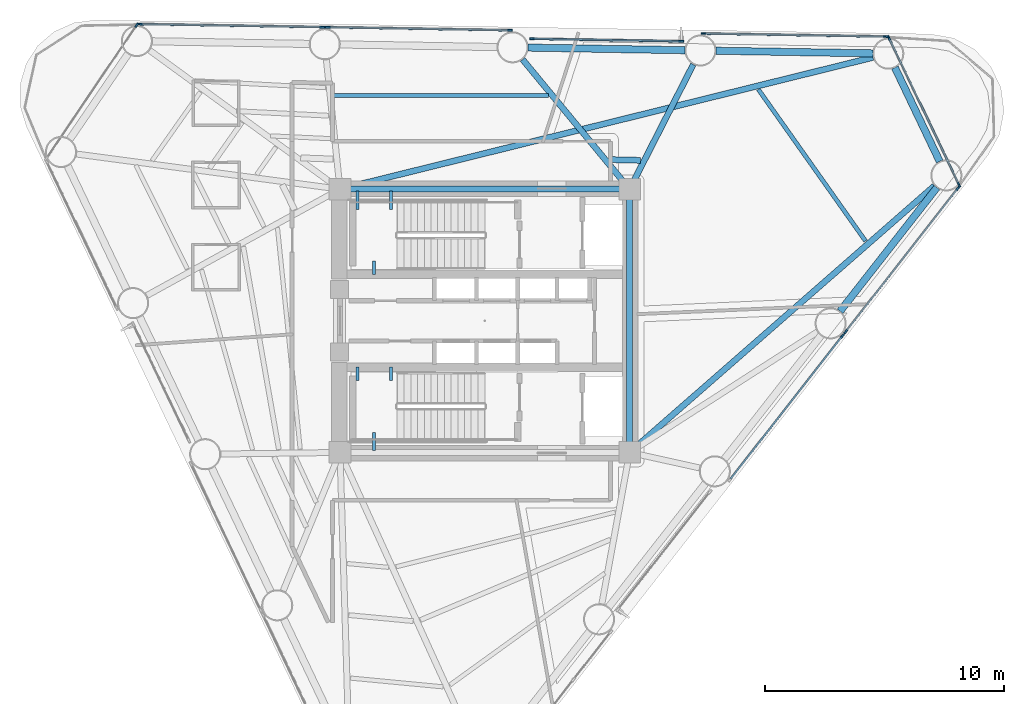
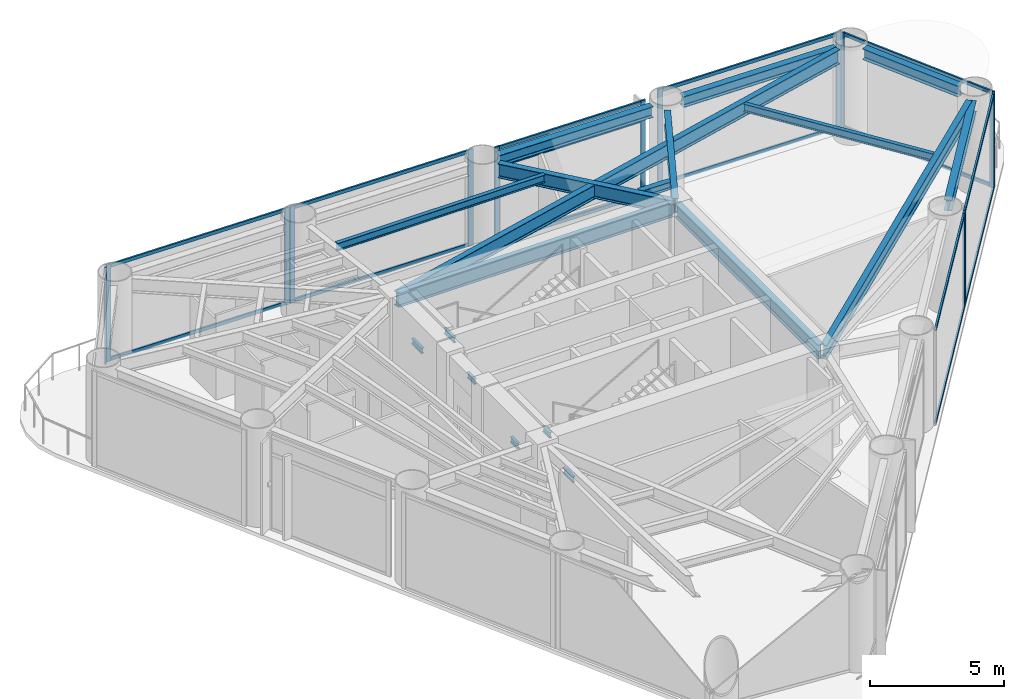
# One storey, part 4 of 11: 29 members, 19 beams, 8 elements without a shape of their own.
"""IFC4 building model written with IfcOpenShell, lengths in metres."""

from ifc_helpers import new_model, si_unit, direction, frame, origin, origin_2d, place, context, subcontext, project, spatial, rectangle, i_section, extrude, source, transform, mapped, material, layer, layer_set, material_profile, profile_set, type_object, element, aggregate, save


model = new_model("IFC4")

# Units and contexts
model_context = context("Model", 3, precision=1e-05, world=origin(), true_north=direction((0.0, 1.0)))
body_context = subcontext(model_context, "Body", "Model", "MODEL_VIEW")
ifc_project = project(units=[si_unit("LENGTHUNIT", "METRE"), si_unit("AREAUNIT", "SQUARE_METRE"), si_unit("VOLUMEUNIT", "CUBIC_METRE"), si_unit("PLANEANGLEUNIT", "RADIAN"), si_unit("MASSUNIT", "GRAM", prefix="KILO")], contexts=[model_context])

# Site, building, storey
site_placement = place(None, origin())
site = spatial("IfcSite", under=ifc_project, at=site_placement, CompositionType="ELEMENT")
building_placement = place(site_placement, origin())
building = spatial("IfcBuilding", under=site, at=building_placement, Name="Yunling Apex Tower", CompositionType="ELEMENT")
storey_placement = place(building_placement, frame((0.0, 0.0, 125.0)))
storey = spatial("IfcBuildingStorey", under=building, at=storey_placement, Name="L30", CompositionType="ELEMENT", Elevation=125.0)

# Beams
ifc_material_1 = material(Name="Steel Q355B", Category="steel")
ifc_material_profile_1 = material_profile(ifc_material_1, i_section(OverallWidth=0.125, OverallDepth=0.25, WebThickness=0.006103515625, FlangeThickness=0.009033203125, FilletRadius=0.011962890625, at=origin_2d()))
ifc_profile_set_1 = profile_set([ifc_material_profile_1], Name="Steel Q355B")
beam_type_1 = type_object("IfcBeamType", Name="BL-LNT-1", PredefinedType="LINTEL", material=ifc_profile_set_1)
shared_shape_1 = source(origin(), body_context, "Body", "SweptSolid", [
    extrude(i_section(OverallWidth=0.125, OverallDepth=0.25, WebThickness=0.006103515625, FlangeThickness=0.009033203125, FilletRadius=0.011962890625, at=origin_2d()), origin(), (0.0, 0.0, 1.0), 0.760009765625),
])
for number, where, z_axis, x_axis, name in (
    (1, (-5.320068359375, 5.419921875, 1.929931640625), (0.0, -1.0, 0.0), (1.0, 0.0, 0.0), "L30 ST-1 Landing Bearing Corbel 1-1"),
    (2, (-3.929931640625, 5.419921875, 1.929931640625), (0.0, -1.0, 0.0), (1.0, 0.0, 0.0), "L30 ST-1 Landing Bearing Corbel 1-2"),
    (3, (-4.625, -5.419921875, 1.929931640625), (0.0, 1.0, 0.0), (-1.0, 0.0, 0.0), "L30 ST-2 Landing Bearing Corbel 1-3"),
):
    element("IfcBeam", number, at=place(storey_placement, frame(where, z_axis=z_axis, x_axis=x_axis)), inside=storey, type_object=beam_type_1, Name=name, PredefinedType="LINTEL", context=body_context, shape_type="MappedRepresentation", body=[
        mapped(shared_shape_1, transform((0.0, 0.0, 0.0), scale=1.0)),
    ])
shared_shape_2 = source(origin(), body_context, "Body", "SweptSolid", [
    extrude(i_section(OverallWidth=0.125, OverallDepth=0.25, WebThickness=0.006103515625, FlangeThickness=0.009033203125, FilletRadius=0.011962890625, at=origin_2d()), origin(), (0.0, 0.0, 1.0), 0.550048828125),
])
for number, where, z_axis, x_axis, name in (
    (4, (-4.625, 1.93994140625, 1.929931640625), (0.0, 1.0, 0.0), (-1.0, 0.0, 0.0), "L30 ST-1 Landing Bearing Corbel 1-3"),
    (5, (-5.320068359375, -1.93994140625, 1.929931640625), (0.0, -1.0, 0.0), (1.0, 0.0, 0.0), "L30 ST-2 Landing Bearing Corbel 1-1"),
    (6, (-3.929931640625, -1.93994140625, 1.929931640625), (0.0, -1.0, 0.0), (1.0, 0.0, 0.0), "L30 ST-2 Landing Bearing Corbel 1-2"),
):
    element("IfcBeam", number, at=place(storey_placement, frame(where, z_axis=z_axis, x_axis=x_axis)), inside=storey, type_object=beam_type_1, Name=name, PredefinedType="LINTEL", context=body_context, shape_type="MappedRepresentation", body=[
        mapped(shared_shape_2, transform((0.0, 0.0, 0.0), scale=1.0)),
    ])
ifc_material_profile_2 = material_profile(ifc_material_1, i_section(OverallWidth=0.25, OverallDepth=0.64990234375, WebThickness=0.011962890625, FlangeThickness=0.02001953125, FilletRadius=0.02392578125, at=origin_2d()))
ifc_profile_set_2 = profile_set([ifc_material_profile_2], Name="Steel Q355B")
beam_type_2 = type_object("IfcBeamType", Name="BG-PRI-4", PredefinedType="USERDEFINED", material=ifc_profile_set_2)
shared_shape_3 = source(origin(), body_context, "Body", "SweptSolid", [
    extrude(i_section(OverallWidth=0.25, OverallDepth=0.64990234375, WebThickness=0.011962890625, FlangeThickness=0.02001953125, FilletRadius=0.02392578125, at=origin_2d()), origin(), (0.0, 0.0, 1.0), 11.7998046875),
])
beam_1_placement = place(storey_placement, frame((5.89990234375, 5.5, 3.9951171875), z_axis=(-1.0, 0.0, 0.0), x_axis=(0.0, -1.0, 0.0)))
element("IfcBeam", 7, at=beam_1_placement, inside=storey, type_object=beam_type_2, Name="L30 Core Ring Tie Beam 3", ObjectType="GIRDER", PredefinedType="USERDEFINED", context=body_context, shape_type="MappedRepresentation", body=[
    mapped(shared_shape_3, transform((0.0, 0.0, 0.0), scale=1.0)),
])
shared_shape_4 = source(origin(), body_context, "Body", "SweptSolid", [
    extrude(i_section(OverallWidth=0.25, OverallDepth=0.64990234375, WebThickness=0.011962890625, FlangeThickness=0.02001953125, FilletRadius=0.02392578125, at=origin_2d()), origin(), (0.0, 0.0, 1.0), 10.7001953125),
])
beam_2_placement = place(storey_placement, frame((6.050048828125, -5.35009765625, 3.9951171875), z_axis=(0.0, 1.0, 0.0), x_axis=(-1.0, 0.0, 0.0)))
element("IfcBeam", 8, at=beam_2_placement, inside=storey, type_object=beam_type_2, Name="L30 Core Ring Tie Beam 2", ObjectType="GIRDER", PredefinedType="USERDEFINED", context=body_context, shape_type="MappedRepresentation", body=[
    mapped(shared_shape_4, transform((0.0, 0.0, 0.0), scale=1.0)),
])
ifc_material_profile_3 = material_profile(ifc_material_1, i_section(OverallWidth=0.300048828125, OverallDepth=0.489990234375, WebThickness=0.010986328125, FlangeThickness=0.01806640625, FilletRadius=0.02197265625, at=origin_2d()))
ifc_profile_set_3 = profile_set([ifc_material_profile_3], Name="Steel Q355B")
beam_type_3 = type_object("IfcBeamType", Name="BP-SPN-2", PredefinedType="SPANDREL", material=ifc_profile_set_3)
shared_shape_5 = source(origin(), body_context, "Body", "SweptSolid", [
    extrude(i_section(OverallWidth=0.300048828125, OverallDepth=0.489990234375, WebThickness=0.010986328125, FlangeThickness=0.01806640625, FilletRadius=0.02197265625, at=origin_2d()), origin(), (0.0, 0.0, 1.0), 6.562255859375),
])
for number, where, z_axis, x_axis, name in (
    (9, (14.8447265625, 0.400390625, 4.074951171875), (0.616196907529, 0.787592135024, 0.0), (-0.787592135024, 0.616196907529, 0.0), "L30 Perimeter Spandrel Beam 4"),
    (10, (16.214599609375, 11.174560546875, 4.074951171875), (-0.999859845587, 0.016741839275, 0.0), (-0.016741839275, -0.999859845587, 0.0), "L30 Perimeter Spandrel Beam 6"),
):
    element("IfcBeam", number, at=place(storey_placement, frame(where, z_axis=z_axis, x_axis=x_axis)), inside=storey, type_object=beam_type_3, Name=name, PredefinedType="SPANDREL", context=body_context, shape_type="MappedRepresentation", body=[
        mapped(shared_shape_5, transform((0.0, 0.0, 0.0), scale=1.0)),
    ])
shared_shape_6 = source(origin(), body_context, "Body", "SweptSolid", [
    extrude(i_section(OverallWidth=0.300048828125, OverallDepth=0.489990234375, WebThickness=0.010986328125, FlangeThickness=0.01806640625, FilletRadius=0.02197265625, at=origin_2d()), origin(), (0.0, 0.0, 1.0), 6.56201171875),
])
beam_3_placement = place(storey_placement, frame((8.365478515625, 11.305908203125, 4.074951171875), z_axis=(-0.999859211643, 0.016779657083, 0.0), x_axis=(-0.016779657083, -0.999859211643, 0.0)))
element("IfcBeam", 11, at=beam_3_placement, inside=storey, type_object=beam_type_3, Name="L30 Perimeter Spandrel Beam 7", PredefinedType="SPANDREL", context=body_context, shape_type="MappedRepresentation", body=[
    mapped(shared_shape_6, transform((0.0, 0.0, 0.0), scale=1.0)),
])
shared_shape_7 = source(origin(), body_context, "Body", "SweptSolid", [
    extrude(i_section(OverallWidth=0.300048828125, OverallDepth=0.489990234375, WebThickness=0.010986328125, FlangeThickness=0.01806640625, FilletRadius=0.02197265625, at=origin_2d()), origin(), (0.0, 0.0, 1.0), 4.348876953125),
])
beam_4_placement = place(storey_placement, frame((19.0078125, 6.6572265625, 4.074951171875), z_axis=(-0.430473932145, 0.902603010046, 0.0), x_axis=(-0.902603010046, -0.430473932145, 0.0)))
element("IfcBeam", 12, at=beam_4_placement, inside=storey, type_object=beam_type_3, Name="L30 Perimeter Spandrel Beam 5", PredefinedType="SPANDREL", context=body_context, shape_type="MappedRepresentation", body=[
    mapped(shared_shape_7, transform((0.0, 0.0, 0.0), scale=1.0)),
])
shared_shape_8 = source(origin(), body_context, "Body", "SweptSolid", [
    extrude(i_section(OverallWidth=0.25, OverallDepth=0.64990234375, WebThickness=0.011962890625, FlangeThickness=0.02001953125, FilletRadius=0.02392578125, at=origin_2d()), origin(), (0.0, 0.0, 1.0), 16.84521484375),
])
beam_5_placement = place(storey_placement, frame((18.789794921875, 5.642822265625, 3.9951171875), z_axis=(-0.75271314446, -0.658348632684, 0.0), x_axis=(0.658348632684, -0.75271314446, 0.0)))
element("IfcBeam", 13, at=beam_5_placement, inside=storey, type_object=beam_type_2, Name="L30 Radial Primary Girder R05", ObjectType="GIRDER", PredefinedType="USERDEFINED", context=body_context, shape_type="MappedRepresentation", body=[
    mapped(shared_shape_8, transform((0.0, 0.0, 0.0), scale=1.0)),
])
shared_shape_9 = source(origin(), body_context, "Body", "SweptSolid", [
    extrude(i_section(OverallWidth=0.25, OverallDepth=0.64990234375, WebThickness=0.011962890625, FlangeThickness=0.02001953125, FilletRadius=0.02392578125, at=origin_2d()), origin(), (0.0, 0.0, 1.0), 22.860107421875),
])
beam_6_placement = place(storey_placement, frame((16.219482421875, 11.005859375, 3.9951171875), z_axis=(-0.970771198537, -0.240006833426, 0.0), x_axis=(0.240006833426, -0.970771198537, 0.0)))
element("IfcBeam", 14, at=beam_6_placement, inside=storey, type_object=beam_type_2, Name="L30 Radial Primary Girder R06", ObjectType="GIRDER", PredefinedType="USERDEFINED", context=body_context, shape_type="MappedRepresentation", body=[
    mapped(shared_shape_9, transform((0.0, 0.0, 0.0), scale=1.0)),
])
shared_shape_10 = source(origin(), body_context, "Body", "SweptSolid", [
    extrude(i_section(OverallWidth=0.25, OverallDepth=0.64990234375, WebThickness=0.011962890625, FlangeThickness=0.02001953125, FilletRadius=0.02392578125, at=origin_2d()), origin(), (0.0, 0.0, 1.0), 5.76904296875),
])
beam_7_placement = place(storey_placement, frame((8.710205078125, 10.709228515625, 3.9951171875), z_axis=(-0.454797867462, -0.890594688819, 0.0), x_axis=(0.890594688819, -0.454797867462, 0.0)))
element("IfcBeam", 15, at=beam_7_placement, inside=storey, type_object=beam_type_2, Name="L30 Radial Primary Girder R07", ObjectType="GIRDER", PredefinedType="USERDEFINED", context=body_context, shape_type="MappedRepresentation", body=[
    mapped(shared_shape_10, transform((0.0, 0.0, 0.0), scale=1.0)),
])
shared_shape_11 = source(origin(), body_context, "Body", "SweptSolid", [
    extrude(i_section(OverallWidth=0.25, OverallDepth=0.64990234375, WebThickness=0.011962890625, FlangeThickness=0.02001953125, FilletRadius=0.02392578125, at=origin_2d()), origin(), (0.0, 0.0, 1.0), 6.9453125),
])
beam_8_placement = place(storey_placement, frame((1.5791015625, 10.919189453125, 3.9951171875), z_axis=(0.636387137961, -0.771369827409, 0.0), x_axis=(0.771369827409, 0.636387137961, 0.0)))
element("IfcBeam", 16, at=beam_8_placement, inside=storey, type_object=beam_type_2, Name="L30 Radial Primary Girder R08", ObjectType="GIRDER", PredefinedType="USERDEFINED", context=body_context, shape_type="MappedRepresentation", body=[
    mapped(shared_shape_11, transform((0.0, 0.0, 0.0), scale=1.0)),
])
ifc_material_profile_4 = material_profile(ifc_material_1, i_section(OverallWidth=0.175048828125, OverallDepth=0.35009765625, WebThickness=0.007080078125, FlangeThickness=0.010986328125, FilletRadius=0.013916015625, at=origin_2d()))
ifc_profile_set_4 = profile_set([ifc_material_profile_4], Name="Steel Q355B")
beam_type_4 = type_object("IfcBeamType", Name="BJ-JST-1", PredefinedType="JOIST", material=ifc_profile_set_4)
shared_shape_12 = source(origin(), body_context, "Body", "SweptSolid", [
    extrude(i_section(OverallWidth=0.175048828125, OverallDepth=0.35009765625, WebThickness=0.007080078125, FlangeThickness=0.010986328125, FilletRadius=0.013916015625, at=origin_2d()), origin(), (0.0, 0.0, 1.0), 7.7578125),
])
beam_9_placement = place(storey_placement, frame((15.907958984375, 3.33349609375, 4.14501953125), z_axis=(-0.577260058065, 0.816560362351, 0.0), x_axis=(-0.816560362351, -0.577260058065, 0.0)))
element("IfcBeam", 17, at=beam_9_placement, inside=storey, type_object=beam_type_4, Name="L30 Composite Floor Joist BJ1-5", PredefinedType="JOIST", context=body_context, shape_type="MappedRepresentation", body=[
    mapped(shared_shape_12, transform((0.0, 0.0, 0.0), scale=1.0)),
])
ifc_material_profile_5 = material_profile(ifc_material_1, i_section(OverallWidth=0.25, OverallDepth=0.340087890625, WebThickness=0.009033203125, FlangeThickness=0.013916015625, FilletRadius=0.01806640625, at=origin_2d()))
ifc_profile_set_5 = profile_set([ifc_material_profile_5], Name="Steel Q355B")
beam_type_5 = type_object("IfcBeamType", Name="BJ-JST-2", PredefinedType="JOIST", material=ifc_profile_set_5)
shared_shape_13 = source(origin(), body_context, "Body", "SweptSolid", [
    extrude(i_section(OverallWidth=0.25, OverallDepth=0.340087890625, WebThickness=0.009033203125, FlangeThickness=0.013916015625, FilletRadius=0.01806640625, at=origin_2d()), origin(), (0.0, 0.0, 1.0), 1.3173828125),
])
beam_10_placement = place(storey_placement, frame((6.503662109375, 6.705322265625, 4.14990234375), z_axis=(-0.999718560735, 0.023723391875, 0.0), x_axis=(-0.023723391875, -0.999718560735, 0.0)))
element("IfcBeam", 18, at=beam_10_placement, inside=storey, type_object=beam_type_5, Name="L30 Composite Floor Joist BJ2-7", PredefinedType="JOIST", context=body_context, shape_type="MappedRepresentation", body=[
    mapped(shared_shape_13, transform((0.0, 0.0, 0.0), scale=1.0)),
])
shared_shape_14 = source(origin(), body_context, "Body", "SweptSolid", [
    extrude(i_section(OverallWidth=0.175048828125, OverallDepth=0.35009765625, WebThickness=0.007080078125, FlangeThickness=0.010986328125, FilletRadius=0.013916015625, at=origin_2d()), origin(), (0.0, 0.0, 1.0), 8.959228515625),
])
beam_11_placement = place(storey_placement, frame((2.65673828125, 9.4189453125, 4.14501953125), z_axis=(-0.99999980359, -0.000626754107, 0.0), x_axis=(0.000626754107, -0.99999980359, 0.0)))
element("IfcBeam", 19, at=beam_11_placement, inside=storey, type_object=beam_type_4, Name="L30 Composite Floor Joist BJ1-8", PredefinedType="JOIST", context=body_context, shape_type="MappedRepresentation", body=[
    mapped(shared_shape_14, transform((0.0, 0.0, 0.0), scale=1.0)),
])

# Curtain wall, member
ifc_material_2 = material(Name="Bronze anodised aluminium", Category="aluminium")
ifc_layer = layer(ifc_material_2, 0.199951171875)
ifc_layer_set = layer_set([ifc_layer], Name="Bronze anodised aluminium")
curtain_wall_type = type_object("IfcCurtainWallType", Name="CW-SYS-5", PredefinedType="NOTDEFINED", material=ifc_layer_set)
curtain_wall_1_placement = place(storey_placement, origin())
curtain_wall_1 = element("IfcCurtainWall", 20, at=curtain_wall_1_placement, inside=storey, type_object=curtain_wall_type, Name="CW-L30-F1-B3", PredefinedType="NOTDEFINED")
ifc_material_profile_6 = material_profile(ifc_material_2, rectangle(XDim=0.074951171875, YDim=0.199951171875, at=origin_2d()))
ifc_profile_set_6 = profile_set([ifc_material_profile_6], Name="Bronze anodised aluminium")
member_type_1 = type_object("IfcMemberType", Name="CW-MUL-5", PredefinedType="MULLION", material=ifc_profile_set_6)
shared_shape_15 = source(origin(), body_context, "Body", "SweptSolid", [
    extrude(rectangle(XDim=0.074951171875, YDim=0.199951171875, at=origin_2d()), origin(), (0.0, 0.0, 1.0), 4.420166015625),
])
member_1_placement = place(storey_placement, frame((14.9345703125, -0.63671875, -0.050048828125), z_axis=(0.0, 0.0, 1.0), x_axis=(-0.787583748686, 0.616207626377, 0.0)))
member_1 = element("IfcMember", 21, at=member_1_placement, type_object=member_type_1, Name="CW-SYS-5 mullion 2", PredefinedType="MULLION", context=body_context, shape_type="MappedRepresentation", body=[
    mapped(shared_shape_15, transform((0.0, 0.0, 0.0), scale=1.0)),
])

# Curtain wall, members
curtain_wall_2_placement = place(storey_placement, origin())
curtain_wall_2 = element("IfcCurtainWall", 22, at=curtain_wall_2_placement, inside=storey, type_object=curtain_wall_type, Name="CW-L30-F1-B4", PredefinedType="NOTDEFINED")
member_2_placement = place(storey_placement, frame((15.079345703125, -0.45166015625, -0.050048828125), z_axis=(0.0, 0.0, 1.0), x_axis=(-0.787583748686, 0.616207626377, 0.0)))
member_2 = element("IfcMember", 23, at=member_2_placement, type_object=member_type_1, Name="CW-SYS-5 mullion 1", PredefinedType="MULLION", context=body_context, shape_type="MappedRepresentation", body=[
    mapped(shared_shape_15, transform((0.0, 0.0, 0.0), scale=1.0)),
])
member_3_placement = place(storey_placement, frame((19.77197265625, 5.5458984375, -0.050048828125), z_axis=(0.0, 0.0, 1.0), x_axis=(-0.787583748686, 0.616207626377, 0.0)))
member_3 = element("IfcMember", 24, at=member_3_placement, type_object=member_type_1, Name="CW-SYS-5 mullion 2", PredefinedType="MULLION", context=body_context, shape_type="MappedRepresentation", body=[
    mapped(shared_shape_15, transform((0.0, 0.0, 0.0), scale=1.0)),
])

curtain_wall_3_placement = place(storey_placement, origin())
curtain_wall_3 = element("IfcCurtainWall", 25, at=curtain_wall_3_placement, inside=storey, type_object=curtain_wall_type, Name="CW-L30-CRN1", PredefinedType="NOTDEFINED")
member_4_placement = place(storey_placement, frame((19.8125, 5.6845703125, -0.050048828125), z_axis=(0.0, 0.0, 1.0), x_axis=(-0.902581673296, -0.430518667458, 0.0)))
member_4 = element("IfcMember", 26, at=member_4_placement, type_object=member_type_1, Name="CW-SYS-5 mullion 1", PredefinedType="MULLION", context=body_context, shape_type="MappedRepresentation", body=[
    mapped(shared_shape_15, transform((0.0, 0.0, 0.0), scale=1.0)),
])
member_5_placement = place(storey_placement, frame((16.88623046875, 11.819580078125, -0.050048828125), z_axis=(0.0, 0.0, 1.0), x_axis=(-0.902581673296, -0.430518667458, 0.0)))
member_5 = element("IfcMember", 27, at=member_5_placement, type_object=member_type_1, Name="CW-SYS-5 mullion 2", PredefinedType="MULLION", context=body_context, shape_type="MappedRepresentation", body=[
    mapped(shared_shape_15, transform((0.0, 0.0, 0.0), scale=1.0)),
])

curtain_wall_4_placement = place(storey_placement, origin())
curtain_wall_4 = element("IfcCurtainWall", 28, at=curtain_wall_4_placement, inside=storey, type_object=curtain_wall_type, Name="CW-L30-F2-B1", PredefinedType="NOTDEFINED")
member_6_placement = place(storey_placement, frame((16.7529296875, 11.87548828125, -0.050048828125), z_axis=(0.0, 0.0, 1.0), x_axis=(-0.016761635477, -0.99985951392, 0.0)))
member_6 = element("IfcMember", 29, at=member_6_placement, type_object=member_type_1, Name="CW-SYS-5 mullion 1", PredefinedType="MULLION", context=body_context, shape_type="MappedRepresentation", body=[
    mapped(shared_shape_15, transform((0.0, 0.0, 0.0), scale=1.0)),
])
member_7_placement = place(storey_placement, frame((9.138916015625, 12.003173828125, -0.050048828125), z_axis=(0.0, 0.0, 1.0), x_axis=(-0.016761635477, -0.99985951392, 0.0)))
member_7 = element("IfcMember", 30, at=member_7_placement, type_object=member_type_1, Name="CW-SYS-5 mullion 2", PredefinedType="MULLION", context=body_context, shape_type="MappedRepresentation", body=[
    mapped(shared_shape_15, transform((0.0, 0.0, 0.0), scale=1.0)),
])

curtain_wall_5_placement = place(storey_placement, origin())
curtain_wall_5 = element("IfcCurtainWall", 31, at=curtain_wall_5_placement, inside=storey, type_object=curtain_wall_type, Name="CW-L30-F2-B2", PredefinedType="NOTDEFINED")
member_8_placement = place(storey_placement, frame((8.208251953125, 11.6787109375, -0.050048828125), z_axis=(0.0, 0.0, 1.0), x_axis=(-0.016766539529, -0.999859431696, 0.0)))
member_8 = element("IfcMember", 32, at=member_8_placement, type_object=member_type_1, Name="CW-SYS-5 mullion 1", PredefinedType="MULLION", context=body_context, shape_type="MappedRepresentation", body=[
    mapped(shared_shape_15, transform((0.0, 0.0, 0.0), scale=1.0)),
])
member_9_placement = place(storey_placement, frame((1.973876953125, 11.783203125, -0.050048828125), z_axis=(0.0, 0.0, 1.0), x_axis=(-0.016766539529, -0.999859431696, 0.0)))
member_9 = element("IfcMember", 33, at=member_9_placement, type_object=member_type_1, Name="CW-SYS-5 mullion 2", PredefinedType="MULLION", context=body_context, shape_type="MappedRepresentation", body=[
    mapped(shared_shape_15, transform((0.0, 0.0, 0.0), scale=1.0)),
])

curtain_wall_6_placement = place(storey_placement, origin())
curtain_wall_6 = element("IfcCurtainWall", 34, at=curtain_wall_6_placement, inside=storey, type_object=curtain_wall_type, Name="CW-L30-F2-B3", PredefinedType="NOTDEFINED")
member_10_placement = place(storey_placement, frame((1.054931640625, 12.138671875, -0.050048828125), z_axis=(0.0, 0.0, 1.0), x_axis=(-0.016761635477, -0.99985951392, 0.0)))
member_10 = element("IfcMember", 35, at=member_10_placement, type_object=member_type_1, Name="CW-SYS-5 mullion 1", PredefinedType="MULLION", context=body_context, shape_type="MappedRepresentation", body=[
    mapped(shared_shape_15, transform((0.0, 0.0, 0.0), scale=1.0)),
])
member_11_placement = place(storey_placement, frame((-6.559326171875, 12.266357421875, -0.050048828125), z_axis=(0.0, 0.0, 1.0), x_axis=(-0.016761635477, -0.99985951392, 0.0)))
member_11 = element("IfcMember", 36, at=member_11_placement, type_object=member_type_1, Name="CW-SYS-5 mullion 2", PredefinedType="MULLION", context=body_context, shape_type="MappedRepresentation", body=[
    mapped(shared_shape_15, transform((0.0, 0.0, 0.0), scale=1.0)),
])

curtain_wall_7_placement = place(storey_placement, origin())
curtain_wall_7 = element("IfcCurtainWall", 37, at=curtain_wall_7_placement, inside=storey, type_object=curtain_wall_type, Name="CW-L30-F2-B4", PredefinedType="NOTDEFINED")
member_12_placement = place(storey_placement, frame((-6.794189453125, 12.270263671875, -0.050048828125), z_axis=(0.0, 0.0, 1.0), x_axis=(-0.016761635477, -0.99985951392, 0.0)))
member_12 = element("IfcMember", 38, at=member_12_placement, type_object=member_type_1, Name="CW-SYS-5 mullion 1", PredefinedType="MULLION", context=body_context, shape_type="MappedRepresentation", body=[
    mapped(shared_shape_15, transform((0.0, 0.0, 0.0), scale=1.0)),
])
member_13_placement = place(storey_placement, frame((-14.408203125, 12.39794921875, -0.050048828125), z_axis=(0.0, 0.0, 1.0), x_axis=(-0.016761635477, -0.99985951392, 0.0)))
member_13 = element("IfcMember", 39, at=member_13_placement, type_object=member_type_1, Name="CW-SYS-5 mullion 2", PredefinedType="MULLION", context=body_context, shape_type="MappedRepresentation", body=[
    mapped(shared_shape_15, transform((0.0, 0.0, 0.0), scale=1.0)),
])

# Curtain wall, member
curtain_wall_8_placement = place(storey_placement, origin())
curtain_wall_8 = element("IfcCurtainWall", 40, at=curtain_wall_8_placement, inside=storey, type_object=curtain_wall_type, Name="CW-L30-CRN2", PredefinedType="NOTDEFINED")
member_14_placement = place(storey_placement, frame((-14.547119140625, 12.348876953125, -0.050048828125), z_axis=(0.0, 0.0, 1.0), x_axis=(0.82813882115, -0.560523052964, 0.0)))
member_14 = element("IfcMember", 41, at=member_14_placement, type_object=member_type_1, Name="CW-SYS-5 mullion 1", PredefinedType="MULLION", context=body_context, shape_type="MappedRepresentation", body=[
    mapped(shared_shape_15, transform((0.0, 0.0, 0.0), scale=1.0)),
])
aggregate(curtain_wall_8, [member_14])

# Member
ifc_material_profile_7 = material_profile(ifc_material_2, rectangle(XDim=0.074951171875, YDim=0.155029296875, at=origin_2d()))
ifc_profile_set_7 = profile_set([ifc_material_profile_7], Name="Bronze anodised aluminium")
member_type_2 = type_object("IfcMemberType", Name="CW-TRN-5", PredefinedType="USERDEFINED", material=ifc_profile_set_7)
shared_shape_16 = source(origin(), body_context, "Body", "SweptSolid", [
    extrude(rectangle(XDim=0.074951171875, YDim=0.155029296875, at=origin_2d()), origin(), (0.0, 0.0, 1.0), 7.547607421875),
])
member_15_placement = place(storey_placement, frame((10.262939453125, -6.607666015625, 0.03759765625), z_axis=(0.61620882694, 0.787582809361, 0.0), x_axis=(-0.787582809361, 0.61620882694, 0.0)))
member_15 = element("IfcMember", 42, at=member_15_placement, type_object=member_type_2, Name="CW-SYS-5 transom 1.1", ObjectType="TRANSOM", PredefinedType="USERDEFINED", context=body_context, shape_type="MappedRepresentation", body=[
    mapped(shared_shape_16, transform((0.0, 0.0, 0.0), scale=1.0)),
])

member_16_placement = place(storey_placement, frame((10.262939453125, -6.607666015625, 4.282470703125), z_axis=(0.61620882694, 0.787582809361, 0.0), x_axis=(-0.787582809361, 0.61620882694, 0.0)))
member_16 = element("IfcMember", 43, at=member_16_placement, type_object=member_type_2, Name="CW-SYS-5 transom 1.2", ObjectType="TRANSOM", PredefinedType="USERDEFINED", context=body_context, shape_type="MappedRepresentation", body=[
    mapped(shared_shape_16, transform((0.0, 0.0, 0.0), scale=1.0)),
])

aggregate(curtain_wall_1, [member_1, member_15, member_16])

member_17_placement = place(storey_placement, frame((15.10009765625, -0.425048828125, 0.03759765625), z_axis=(0.61620882694, 0.787582809361, 0.0), x_axis=(-0.787582809361, 0.61620882694, 0.0)))
member_17 = element("IfcMember", 44, at=member_17_placement, type_object=member_type_2, Name="CW-SYS-5 transom 1.1", ObjectType="TRANSOM", PredefinedType="USERDEFINED", context=body_context, shape_type="MappedRepresentation", body=[
    mapped(shared_shape_16, transform((0.0, 0.0, 0.0), scale=1.0)),
])

member_18_placement = place(storey_placement, frame((15.10009765625, -0.425048828125, 4.282470703125), z_axis=(0.61620882694, 0.787582809361, 0.0), x_axis=(-0.787582809361, 0.61620882694, 0.0)))
member_18 = element("IfcMember", 45, at=member_18_placement, type_object=member_type_2, Name="CW-SYS-5 transom 1.2", ObjectType="TRANSOM", PredefinedType="USERDEFINED", context=body_context, shape_type="MappedRepresentation", body=[
    mapped(shared_shape_16, transform((0.0, 0.0, 0.0), scale=1.0)),
])

aggregate(curtain_wall_2, [member_2, member_3, member_17, member_18])

member_19_placement = place(storey_placement, frame((16.71923828125, 11.8759765625, 0.03759765625), z_axis=(-0.999859075404, 0.016787773289, 0.0), x_axis=(-0.016787773289, -0.999859075404, 0.0)))
member_19 = element("IfcMember", 46, at=member_19_placement, type_object=member_type_2, Name="CW-SYS-5 transom 1.1", ObjectType="TRANSOM", PredefinedType="USERDEFINED", context=body_context, shape_type="MappedRepresentation", body=[
    mapped(shared_shape_16, transform((0.0, 0.0, 0.0), scale=1.0)),
])

member_20_placement = place(storey_placement, frame((16.71923828125, 11.8759765625, 4.282470703125), z_axis=(-0.999859075404, 0.016787773289, 0.0), x_axis=(-0.016787773289, -0.999859075404, 0.0)))
member_20 = element("IfcMember", 47, at=member_20_placement, type_object=member_type_2, Name="CW-SYS-5 transom 1.2", ObjectType="TRANSOM", PredefinedType="USERDEFINED", context=body_context, shape_type="MappedRepresentation", body=[
    mapped(shared_shape_16, transform((0.0, 0.0, 0.0), scale=1.0)),
])

aggregate(curtain_wall_4, [member_6, member_7, member_19, member_20])

member_21_placement = place(storey_placement, frame((1.021240234375, 12.139404296875, 0.03759765625), z_axis=(-0.999859617829, 0.016755435995, 0.0), x_axis=(-0.016755435995, -0.999859617829, 0.0)))
member_21 = element("IfcMember", 48, at=member_21_placement, type_object=member_type_2, Name="CW-SYS-5 transom 1.1", ObjectType="TRANSOM", PredefinedType="USERDEFINED", context=body_context, shape_type="MappedRepresentation", body=[
    mapped(shared_shape_16, transform((0.0, 0.0, 0.0), scale=1.0)),
])

member_22_placement = place(storey_placement, frame((1.021240234375, 12.139404296875, 4.282470703125), z_axis=(-0.999859617829, 0.016755435995, 0.0), x_axis=(-0.016755435995, -0.999859617829, 0.0)))
member_22 = element("IfcMember", 49, at=member_22_placement, type_object=member_type_2, Name="CW-SYS-5 transom 1.2", ObjectType="TRANSOM", PredefinedType="USERDEFINED", context=body_context, shape_type="MappedRepresentation", body=[
    mapped(shared_shape_16, transform((0.0, 0.0, 0.0), scale=1.0)),
])

aggregate(curtain_wall_6, [member_10, member_11, member_21, member_22])

member_23_placement = place(storey_placement, frame((-6.827880859375, 12.27099609375, 0.03759765625), z_axis=(-0.999859617829, 0.016755435995, 0.0), x_axis=(-0.016755435995, -0.999859617829, 0.0)))
member_23 = element("IfcMember", 50, at=member_23_placement, type_object=member_type_2, Name="CW-SYS-5 transom 1.1", ObjectType="TRANSOM", PredefinedType="USERDEFINED", context=body_context, shape_type="MappedRepresentation", body=[
    mapped(shared_shape_16, transform((0.0, 0.0, 0.0), scale=1.0)),
])

member_24_placement = place(storey_placement, frame((-6.827880859375, 12.27099609375, 4.282470703125), z_axis=(-0.999859617829, 0.016755435995, 0.0), x_axis=(-0.016755435995, -0.999859617829, 0.0)))
member_24 = element("IfcMember", 51, at=member_24_placement, type_object=member_type_2, Name="CW-SYS-5 transom 1.2", ObjectType="TRANSOM", PredefinedType="USERDEFINED", context=body_context, shape_type="MappedRepresentation", body=[
    mapped(shared_shape_16, transform((0.0, 0.0, 0.0), scale=1.0)),
])

aggregate(curtain_wall_7, [member_12, member_13, member_23, member_24])

shared_shape_17 = source(origin(), body_context, "Body", "SweptSolid", [
    extrude(rectangle(XDim=0.074951171875, YDim=0.155029296875, at=origin_2d()), origin(), (0.0, 0.0, 1.0), 6.729736328125),
])
member_25_placement = place(storey_placement, frame((19.7978515625, 5.715087890625, 0.03759765625), z_axis=(-0.430506626665, 0.902587416485, 0.0), x_axis=(-0.902587416485, -0.430506626665, 0.0)))
member_25 = element("IfcMember", 52, at=member_25_placement, type_object=member_type_2, Name="CW-SYS-5 transom 1.1", ObjectType="TRANSOM", PredefinedType="USERDEFINED", context=body_context, shape_type="MappedRepresentation", body=[
    mapped(shared_shape_17, transform((0.0, 0.0, 0.0), scale=1.0)),
])

member_26_placement = place(storey_placement, frame((19.7978515625, 5.715087890625, 4.282470703125), z_axis=(-0.430506626665, 0.902587416485, 0.0), x_axis=(-0.902587416485, -0.430506626665, 0.0)))
member_26 = element("IfcMember", 53, at=member_26_placement, type_object=member_type_2, Name="CW-SYS-5 transom 1.2", ObjectType="TRANSOM", PredefinedType="USERDEFINED", context=body_context, shape_type="MappedRepresentation", body=[
    mapped(shared_shape_17, transform((0.0, 0.0, 0.0), scale=1.0)),
])

aggregate(curtain_wall_3, [member_4, member_5, member_25, member_26])

shared_shape_18 = source(origin(), body_context, "Body", "SweptSolid", [
    extrude(rectangle(XDim=0.074951171875, YDim=0.155029296875, at=origin_2d()), origin(), (0.0, 0.0, 1.0), 6.167724609375),
])
member_27_placement = place(storey_placement, frame((8.174560546875, 11.67919921875, 0.03759765625), z_axis=(-0.999859143256, 0.01678373161, 0.0), x_axis=(-0.01678373161, -0.999859143256, 0.0)))
member_27 = element("IfcMember", 54, at=member_27_placement, type_object=member_type_2, Name="CW-SYS-5 transom 1.1", ObjectType="TRANSOM", PredefinedType="USERDEFINED", context=body_context, shape_type="MappedRepresentation", body=[
    mapped(shared_shape_18, transform((0.0, 0.0, 0.0), scale=1.0)),
])

member_28_placement = place(storey_placement, frame((8.174560546875, 11.67919921875, 3.469970703125), z_axis=(-0.999859143256, 0.01678373161, 0.0), x_axis=(-0.01678373161, -0.999859143256, 0.0)))
member_28 = element("IfcMember", 55, at=member_28_placement, type_object=member_type_2, Name="CW-SYS-5 transom 1.2", ObjectType="TRANSOM", PredefinedType="USERDEFINED", context=body_context, shape_type="MappedRepresentation", body=[
    mapped(shared_shape_18, transform((0.0, 0.0, 0.0), scale=1.0)),
])

member_29_placement = place(storey_placement, frame((8.174560546875, 11.67919921875, 4.282470703125), z_axis=(-0.999859143256, 0.01678373161, 0.0), x_axis=(-0.01678373161, -0.999859143256, 0.0)))
member_29 = element("IfcMember", 56, at=member_29_placement, type_object=member_type_2, Name="CW-SYS-5 transom 1.3", ObjectType="TRANSOM", PredefinedType="USERDEFINED", context=body_context, shape_type="MappedRepresentation", body=[
    mapped(shared_shape_18, transform((0.0, 0.0, 0.0), scale=1.0)),
])

aggregate(curtain_wall_5, [member_8, member_9, member_27, member_28, member_29])

save(model, "model.ifc")
